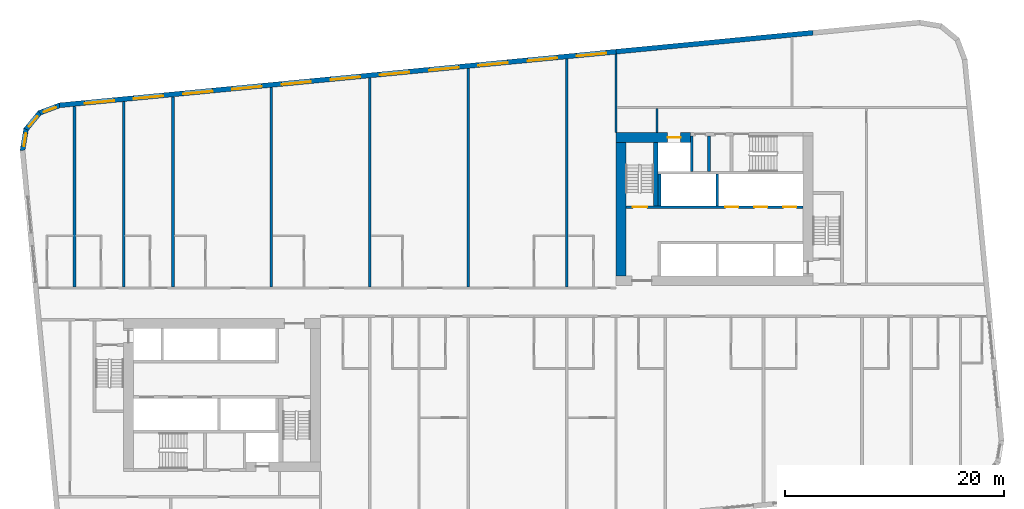
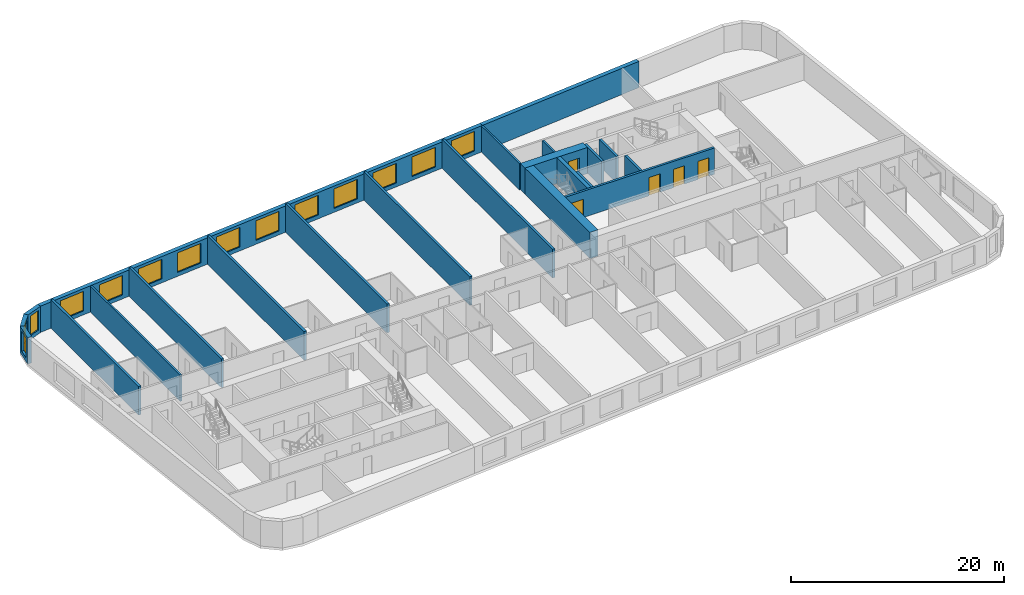
# One storey, part 6 of 12: 22 walls, 14 windows, 5 doors, 19 openings.
"""IFC4 building model written with IfcOpenShell, lengths in metres."""

from ifc_helpers import new_model, si_unit, direction, frame, frame_2d, origin, place, context, subcontext, project, spatial, polyline, rectangle, outline, extrude, material, layer, layer_set, type_object, element, fill, save


model = new_model("IFC4")

# Units and contexts
model_context = context("Model", 3, precision=1e-05, world=origin(), true_north=direction((0.0, 1.0)))
body_context = subcontext(model_context, "Body", "Model", "MODEL_VIEW")
ifc_project = project(units=[si_unit("LENGTHUNIT", "METRE"), si_unit("AREAUNIT", "SQUARE_METRE"), si_unit("VOLUMEUNIT", "CUBIC_METRE"), si_unit("PLANEANGLEUNIT", "RADIAN"), si_unit("MASSUNIT", "GRAM", prefix="KILO")], contexts=[model_context])

# Site, building, storey
site_placement = place(None, origin())
site = spatial("IfcSite", under=ifc_project, at=site_placement, CompositionType="ELEMENT")
building_placement = place(site_placement, origin())
building = spatial("IfcBuilding", under=site, at=building_placement, Name="Kajstack Hotel Tower", CompositionType="ELEMENT")
storey_placement = place(building_placement, frame((0.0, 0.0, 114.10009765625)))
storey = spatial("IfcBuildingStorey", under=building, at=storey_placement, Name="L24", CompositionType="ELEMENT", Elevation=114.10009765625)

# Wall, opening, door
ifc_material_1 = material(Name="Concrete C60/75", Category="concrete")
ifc_layer_1 = layer(ifc_material_1, 0.89990234375)
ifc_layer_set_1 = layer_set([ifc_layer_1], Name="Core wall 900")
wall_type_1 = type_object("IfcWallType", Name="Core wall 900", PredefinedType="SHEAR", material=ifc_layer_set_1)
wall_1_placement = place(storey_placement, frame((13.5, 15.050048828125, 0.0), z_axis=(0.0, 0.0, 1.0), x_axis=(1.0, 0.0, 0.0)))
wall_1 = element("IfcWall", 1, at=wall_1_placement, inside=storey, type_object=wall_type_1, Name="Core wall E RS", PredefinedType="SHEAR", context=body_context, shape_type="SweptSolid", body=[
    extrude(rectangle(XDim=6.800048828125, YDim=0.89990234375, at=frame_2d((3.39990234375, 0.0))), origin(), (0.0, 0.0, 1.0), 3.02001953125),
])
opening_1_placement = place(wall_1_placement, frame((4.72509765625, 0.0, 0.0)))
opening_1 = element("IfcOpeningElement", 2, at=opening_1_placement, cuts=wall_1, Name="Opening LD-SV2", PredefinedType="OPENING", context=body_context, shape_type="SweptSolid", body=[
    extrude(rectangle(XDim=1.199951171875, YDim=2.10009765625, at=frame_2d((0.60009765625, 1.050048828125))), frame((0.0, 0.4599609375, 0.0), z_axis=(0.0, -1.0, 0.0), x_axis=(1.0, 0.0, 0.0)), (0.0, 0.0, 1.0), 0.919921875),
])
ifc_material_2 = material(Name="Stainless steel", Category="steel")
door_type_1 = type_object("IfcDoorType", Name="Lift landing door 1200", OperationType="SLIDING_TO_LEFT", PredefinedType="DOOR", material=ifc_material_2)
door_1_placement = place(opening_1_placement, origin())
door_1 = element("IfcDoor", 3, at=door_1_placement, inside=storey, type_object=door_type_1, Name="Landing door SV2", OperationType="SLIDING_TO_LEFT", OverallHeight=2.10009765625, OverallWidth=1.199951171875, PredefinedType="DOOR", context=body_context, shape_type="SweptSolid", body=[
    extrude(rectangle(XDim=1.199951171875, YDim=2.10009765625, at=frame_2d((0.60009765625, 1.050048828125))), frame((0.0, 0.02490234375, 0.0), z_axis=(0.0, -1.0, 0.0), x_axis=(1.0, 0.0, 0.0)), (0.0, 0.0, 1.0), 0.050048828125),
])
fill(opening_1, door_1)

# Walls
wall_2_placement = place(storey_placement, frame((13.949951171875, 2.39990234375, 0.0), z_axis=(0.0, 0.0, 1.0), x_axis=(0.0, 1.0, 0.0)))
element("IfcWall", 4, at=wall_2_placement, inside=storey, type_object=wall_type_1, Name="Core wall E RE", PredefinedType="SHEAR", context=body_context, shape_type="SweptSolid", body=[
    extrude(rectangle(XDim=12.2001953125, YDim=0.89990234375, at=frame_2d((6.10009765625, 0.0))), origin(), (0.0, 0.0, 1.0), 3.02001953125),
])
ifc_material_3 = material(Name="Twin-frame gypsum board on steel studs, mineral wool", Category="steel")
ifc_layer_2 = layer(ifc_material_3, 0.199951171875)
ifc_layer_set_2 = layer_set([ifc_layer_2], Name="Demising wall 200")
wall_type_2 = type_object("IfcWallType", Name="Demising wall 200", PredefinedType="PARTITIONING", material=ifc_layer_set_2)
wall_3_placement = place(storey_placement, frame((13.5, 15.5, 0.0), z_axis=(0.0, 0.0, 1.0), x_axis=(0.0, 1.0, 0.0)))
element("IfcWall", 5, at=wall_3_placement, inside=storey, type_object=wall_type_2, Name="G-wall-L24-001", PredefinedType="PARTITIONING", context=body_context, shape_type="SweptSolid", body=[
    extrude(rectangle(XDim=7.162109375, YDim=0.199951171875, at=frame_2d((3.5810546875, 0.0))), origin(), (0.0, 0.0, 1.0), 3.02001953125),
])
wall_4_placement = place(storey_placement, frame((-31.5, 1.39990234375, 0.0), z_axis=(0.0, 0.0, 1.0), x_axis=(0.0, 1.0, 0.0)))
element("IfcWall", 6, at=wall_4_placement, inside=storey, type_object=wall_type_2, Name="G-wall-L24-006", PredefinedType="PARTITIONING", context=body_context, shape_type="SweptSolid", body=[
    extrude(rectangle(XDim=16.92919921875, YDim=0.199951171875, at=frame_2d((8.464599609375, 0.0))), origin(), (0.0, 0.0, 1.0), 3.02001953125),
])
ifc_material_4 = material(Name="Concrete C40/50", Category="concrete")
ifc_layer_3 = layer(ifc_material_4, 0.449951171875)
ifc_layer_set_3 = layer_set([ifc_layer_3], Name="EW-CORE")
wall_type_3 = type_object("IfcWallType", Name="EW-CORE", PredefinedType="SOLIDWALL", material=ifc_layer_set_3)
wall_5_placement = place(storey_placement, frame((31.521484375, 24.623291015625, 0.0), z_axis=(0.0, 0.0, 1.0), x_axis=(-0.995396454615, -0.095843091245, 0.0)))
element("IfcWall", 7, at=wall_5_placement, inside=storey, type_object=wall_type_3, Name="E-wall-L24-12-01", PredefinedType="SOLIDWALL", context=body_context, shape_type="SweptSolid", body=[
    extrude(rectangle(XDim=18.083251953125, YDim=0.449951171875, at=frame_2d((9.04150390625, 0.0))), origin(), (0.0, 0.0, 1.0), 3.02001953125),
])

# Wall, openings, windows
ifc_material_5 = material(Name="Terracotta-faced brick masonry", Category="masonry")
ifc_layer_4 = layer(ifc_material_5, 0.449951171875)
ifc_layer_set_4 = layer_set([ifc_layer_4], Name="EW-TERRA")
wall_type_4 = type_object("IfcWallType", Name="EW-TERRA", PredefinedType="SOLIDWALL", material=ifc_layer_set_4)
wall_6_placement = place(storey_placement, frame((13.521484375, 22.89013671875, 0.0), z_axis=(0.0, 0.0, 1.0), x_axis=(-0.995396445054, -0.095843190545, 0.0)))
wall_6 = element("IfcWall", 8, at=wall_6_placement, inside=storey, type_object=wall_type_4, Name="E-wall-L24-12-02", PredefinedType="SOLIDWALL", context=body_context, shape_type="SweptSolid", body=[
    extrude(rectangle(XDim=51.114013671875, YDim=0.449951171875, at=frame_2d((25.55712890625, 0.0))), origin(), (0.0, 0.0, 1.0), 3.02001953125),
])
opening_2_placement = place(wall_6_placement, frame((0.910400390625, 0.0, 0.449951171875)))
opening_2 = element("IfcOpeningElement", 9, at=opening_2_placement, cuts=wall_6, Name="Opening W1", PredefinedType="OPENING", context=body_context, shape_type="SweptSolid", body=[
    extrude(rectangle(XDim=2.699951171875, YDim=2.25, at=frame_2d((1.35009765625, 1.125))), frame((0.0, 0.23486328125, 0.0), z_axis=(0.0, -1.0, 0.0), x_axis=(1.0, 0.0, 0.0)), (0.0, 0.0, 1.0), 0.469970703125),
])
opening_3_placement = place(wall_6_placement, frame((5.43115234375, 0.0, 0.449951171875)))
opening_3 = element("IfcOpeningElement", 10, at=opening_3_placement, cuts=wall_6, Name="Opening W1", PredefinedType="OPENING", context=body_context, shape_type="SweptSolid", body=[
    extrude(rectangle(XDim=2.699951171875, YDim=2.25, at=frame_2d((1.35009765625, 1.125))), frame((0.0, 0.23486328125, 0.0), z_axis=(0.0, -1.0, 0.0), x_axis=(1.0, 0.0, 0.0)), (0.0, 0.0, 1.0), 0.469970703125),
])
opening_4_placement = place(wall_6_placement, frame((9.951904296875, 0.0, 0.449951171875)))
opening_4 = element("IfcOpeningElement", 11, at=opening_4_placement, cuts=wall_6, Name="Opening W1", PredefinedType="OPENING", context=body_context, shape_type="SweptSolid", body=[
    extrude(rectangle(XDim=2.699951171875, YDim=2.25, at=frame_2d((1.35009765625, 1.125))), frame((0.0, 0.23486328125, 0.0), z_axis=(0.0, -1.0, 0.0), x_axis=(1.0, 0.0, 0.0)), (0.0, 0.0, 1.0), 0.469970703125),
])
opening_5_placement = place(wall_6_placement, frame((14.472900390625, 0.0, 0.449951171875)))
opening_5 = element("IfcOpeningElement", 12, at=opening_5_placement, cuts=wall_6, Name="Opening W1", PredefinedType="OPENING", context=body_context, shape_type="SweptSolid", body=[
    extrude(rectangle(XDim=2.699951171875, YDim=2.25, at=frame_2d((1.35009765625, 1.125))), frame((0.0, 0.23486328125, 0.0), z_axis=(0.0, -1.0, 0.0), x_axis=(1.0, 0.0, 0.0)), (0.0, 0.0, 1.0), 0.469970703125),
])
opening_6_placement = place(wall_6_placement, frame((18.99365234375, 0.0, 0.449951171875)))
opening_6 = element("IfcOpeningElement", 13, at=opening_6_placement, cuts=wall_6, Name="Opening W1", PredefinedType="OPENING", context=body_context, shape_type="SweptSolid", body=[
    extrude(rectangle(XDim=2.699951171875, YDim=2.25, at=frame_2d((1.35009765625, 1.125))), frame((0.0, 0.23486328125, 0.0), z_axis=(0.0, -1.0, 0.0), x_axis=(1.0, 0.0, 0.0)), (0.0, 0.0, 1.0), 0.469970703125),
])
opening_7_placement = place(wall_6_placement, frame((23.514404296875, 0.0, 0.449951171875)))
opening_7 = element("IfcOpeningElement", 14, at=opening_7_placement, cuts=wall_6, Name="Opening W1", PredefinedType="OPENING", context=body_context, shape_type="SweptSolid", body=[
    extrude(rectangle(XDim=2.699951171875, YDim=2.25, at=frame_2d((1.35009765625, 1.125))), frame((0.0, 0.23486328125, 0.0), z_axis=(0.0, -1.0, 0.0), x_axis=(1.0, 0.0, 0.0)), (0.0, 0.0, 1.0), 0.469970703125),
])
opening_8_placement = place(wall_6_placement, frame((28.035400390625, 0.0, 0.449951171875)))
opening_8 = element("IfcOpeningElement", 15, at=opening_8_placement, cuts=wall_6, Name="Opening W1", PredefinedType="OPENING", context=body_context, shape_type="SweptSolid", body=[
    extrude(rectangle(XDim=2.699951171875, YDim=2.25, at=frame_2d((1.35009765625, 1.125))), frame((0.0, 0.23486328125, 0.0), z_axis=(0.0, -1.0, 0.0), x_axis=(1.0, 0.0, 0.0)), (0.0, 0.0, 1.0), 0.469970703125),
])
opening_9_placement = place(wall_6_placement, frame((32.55615234375, 0.0, 0.449951171875)))
opening_9 = element("IfcOpeningElement", 16, at=opening_9_placement, cuts=wall_6, Name="Opening W1", PredefinedType="OPENING", context=body_context, shape_type="SweptSolid", body=[
    extrude(rectangle(XDim=2.699951171875, YDim=2.25, at=frame_2d((1.35009765625, 1.125))), frame((0.0, 0.23486328125, 0.0), z_axis=(0.0, -1.0, 0.0), x_axis=(1.0, 0.0, 0.0)), (0.0, 0.0, 1.0), 0.469970703125),
])
opening_10_placement = place(wall_6_placement, frame((37.076904296875, 0.0, 0.449951171875)))
opening_10 = element("IfcOpeningElement", 17, at=opening_10_placement, cuts=wall_6, Name="Opening W1", PredefinedType="OPENING", context=body_context, shape_type="SweptSolid", body=[
    extrude(rectangle(XDim=2.699951171875, YDim=2.25, at=frame_2d((1.35009765625, 1.125))), frame((0.0, 0.23486328125, 0.0), z_axis=(0.0, -1.0, 0.0), x_axis=(1.0, 0.0, 0.0)), (0.0, 0.0, 1.0), 0.469970703125),
])
opening_11_placement = place(wall_6_placement, frame((41.59765625, 0.0, 0.449951171875)))
opening_11 = element("IfcOpeningElement", 18, at=opening_11_placement, cuts=wall_6, Name="Opening W1", PredefinedType="OPENING", context=body_context, shape_type="SweptSolid", body=[
    extrude(rectangle(XDim=2.699951171875, YDim=2.25, at=frame_2d((1.35009765625, 1.125))), frame((0.0, 0.23486328125, 0.0), z_axis=(0.0, -1.0, 0.0), x_axis=(1.0, 0.0, 0.0)), (0.0, 0.0, 1.0), 0.469970703125),
])
opening_12_placement = place(wall_6_placement, frame((46.118408203125, 0.0, 0.449951171875)))
opening_12 = element("IfcOpeningElement", 19, at=opening_12_placement, cuts=wall_6, Name="Opening W1", PredefinedType="OPENING", context=body_context, shape_type="SweptSolid", body=[
    extrude(rectangle(XDim=2.699951171875, YDim=2.25, at=frame_2d((1.35009765625, 1.125))), frame((0.0, 0.23486328125, 0.0), z_axis=(0.0, -1.0, 0.0), x_axis=(1.0, 0.0, 0.0)), (0.0, 0.0, 1.0), 0.469970703125),
])
ifc_material_6 = material(Name="Timber-aluminium window, triple glazed", Category="wood")
window_type_1 = type_object("IfcWindowType", Name="WG1", PartitioningType="SINGLE_PANEL", PredefinedType="WINDOW", material=ifc_material_6)
window_1_placement = place(opening_2_placement, origin())
window_1 = element("IfcWindow", 20, at=window_1_placement, inside=storey, type_object=window_type_1, Name="Window W1 L24-12", OverallHeight=2.25, OverallWidth=2.699951171875, PartitioningType="SINGLE_PANEL", PredefinedType="WINDOW", context=body_context, shape_type="SweptSolid", body=[
    extrude(rectangle(XDim=2.699951171875, YDim=2.25, at=frame_2d((1.35009765625, 1.125))), frame((0.0, 0.090087890625, 0.0), z_axis=(0.0, -1.0, 0.0), x_axis=(1.0, 0.0, 0.0)), (0.0, 0.0, 1.0), 0.06005859375),
])
fill(opening_2, window_1)
window_2_placement = place(opening_3_placement, origin())
window_2 = element("IfcWindow", 21, at=window_2_placement, inside=storey, type_object=window_type_1, Name="Window W1 L24-12", OverallHeight=2.25, OverallWidth=2.699951171875, PartitioningType="SINGLE_PANEL", PredefinedType="WINDOW", context=body_context, shape_type="SweptSolid", body=[
    extrude(rectangle(XDim=2.699951171875, YDim=2.25, at=frame_2d((1.35009765625, 1.125))), frame((0.0, 0.090087890625, 0.0), z_axis=(0.0, -1.0, 0.0), x_axis=(1.0, 0.0, 0.0)), (0.0, 0.0, 1.0), 0.06005859375),
])
fill(opening_3, window_2)
window_3_placement = place(opening_4_placement, origin())
window_3 = element("IfcWindow", 22, at=window_3_placement, inside=storey, type_object=window_type_1, Name="Window W1 L24-12", OverallHeight=2.25, OverallWidth=2.699951171875, PartitioningType="SINGLE_PANEL", PredefinedType="WINDOW", context=body_context, shape_type="SweptSolid", body=[
    extrude(rectangle(XDim=2.699951171875, YDim=2.25, at=frame_2d((1.35009765625, 1.125))), frame((0.0, 0.090087890625, 0.0), z_axis=(0.0, -1.0, 0.0), x_axis=(1.0, 0.0, 0.0)), (0.0, 0.0, 1.0), 0.06005859375),
])
fill(opening_4, window_3)
window_4_placement = place(opening_5_placement, origin())
window_4 = element("IfcWindow", 23, at=window_4_placement, inside=storey, type_object=window_type_1, Name="Window W1 L24-12", OverallHeight=2.25, OverallWidth=2.699951171875, PartitioningType="SINGLE_PANEL", PredefinedType="WINDOW", context=body_context, shape_type="SweptSolid", body=[
    extrude(rectangle(XDim=2.699951171875, YDim=2.25, at=frame_2d((1.35009765625, 1.125))), frame((0.0, 0.090087890625, 0.0), z_axis=(0.0, -1.0, 0.0), x_axis=(1.0, 0.0, 0.0)), (0.0, 0.0, 1.0), 0.06005859375),
])
fill(opening_5, window_4)
window_5_placement = place(opening_6_placement, origin())
window_5 = element("IfcWindow", 24, at=window_5_placement, inside=storey, type_object=window_type_1, Name="Window W1 L24-12", OverallHeight=2.25, OverallWidth=2.699951171875, PartitioningType="SINGLE_PANEL", PredefinedType="WINDOW", context=body_context, shape_type="SweptSolid", body=[
    extrude(rectangle(XDim=2.699951171875, YDim=2.25, at=frame_2d((1.35009765625, 1.125))), frame((0.0, 0.090087890625, 0.0), z_axis=(0.0, -1.0, 0.0), x_axis=(1.0, 0.0, 0.0)), (0.0, 0.0, 1.0), 0.06005859375),
])
fill(opening_6, window_5)
window_6_placement = place(opening_7_placement, origin())
window_6 = element("IfcWindow", 25, at=window_6_placement, inside=storey, type_object=window_type_1, Name="Window W1 L24-12", OverallHeight=2.25, OverallWidth=2.699951171875, PartitioningType="SINGLE_PANEL", PredefinedType="WINDOW", context=body_context, shape_type="SweptSolid", body=[
    extrude(rectangle(XDim=2.699951171875, YDim=2.25, at=frame_2d((1.35009765625, 1.125))), frame((0.0, 0.090087890625, 0.0), z_axis=(0.0, -1.0, 0.0), x_axis=(1.0, 0.0, 0.0)), (0.0, 0.0, 1.0), 0.06005859375),
])
fill(opening_7, window_6)
window_7_placement = place(opening_8_placement, origin())
window_7 = element("IfcWindow", 26, at=window_7_placement, inside=storey, type_object=window_type_1, Name="Window W1 L24-12", OverallHeight=2.25, OverallWidth=2.699951171875, PartitioningType="SINGLE_PANEL", PredefinedType="WINDOW", context=body_context, shape_type="SweptSolid", body=[
    extrude(rectangle(XDim=2.699951171875, YDim=2.25, at=frame_2d((1.35009765625, 1.125))), frame((0.0, 0.090087890625, 0.0), z_axis=(0.0, -1.0, 0.0), x_axis=(1.0, 0.0, 0.0)), (0.0, 0.0, 1.0), 0.06005859375),
])
fill(opening_8, window_7)
window_8_placement = place(opening_9_placement, origin())
window_8 = element("IfcWindow", 27, at=window_8_placement, inside=storey, type_object=window_type_1, Name="Window W1 L24-12", OverallHeight=2.25, OverallWidth=2.699951171875, PartitioningType="SINGLE_PANEL", PredefinedType="WINDOW", context=body_context, shape_type="SweptSolid", body=[
    extrude(rectangle(XDim=2.699951171875, YDim=2.25, at=frame_2d((1.35009765625, 1.125))), frame((0.0, 0.090087890625, 0.0), z_axis=(0.0, -1.0, 0.0), x_axis=(1.0, 0.0, 0.0)), (0.0, 0.0, 1.0), 0.06005859375),
])
fill(opening_9, window_8)
window_9_placement = place(opening_10_placement, origin())
window_9 = element("IfcWindow", 28, at=window_9_placement, inside=storey, type_object=window_type_1, Name="Window W1 L24-12", OverallHeight=2.25, OverallWidth=2.699951171875, PartitioningType="SINGLE_PANEL", PredefinedType="WINDOW", context=body_context, shape_type="SweptSolid", body=[
    extrude(rectangle(XDim=2.699951171875, YDim=2.25, at=frame_2d((1.35009765625, 1.125))), frame((0.0, 0.090087890625, 0.0), z_axis=(0.0, -1.0, 0.0), x_axis=(1.0, 0.0, 0.0)), (0.0, 0.0, 1.0), 0.06005859375),
])
fill(opening_10, window_9)
window_10_placement = place(opening_11_placement, origin())
window_10 = element("IfcWindow", 29, at=window_10_placement, inside=storey, type_object=window_type_1, Name="Window W1 L24-12", OverallHeight=2.25, OverallWidth=2.699951171875, PartitioningType="SINGLE_PANEL", PredefinedType="WINDOW", context=body_context, shape_type="SweptSolid", body=[
    extrude(rectangle(XDim=2.699951171875, YDim=2.25, at=frame_2d((1.35009765625, 1.125))), frame((0.0, 0.090087890625, 0.0), z_axis=(0.0, -1.0, 0.0), x_axis=(1.0, 0.0, 0.0)), (0.0, 0.0, 1.0), 0.06005859375),
])
fill(opening_11, window_10)
window_11_placement = place(opening_12_placement, origin())
window_11 = element("IfcWindow", 30, at=window_11_placement, inside=storey, type_object=window_type_1, Name="Window W1 L24-12", OverallHeight=2.25, OverallWidth=2.699951171875, PartitioningType="SINGLE_PANEL", PredefinedType="WINDOW", context=body_context, shape_type="SweptSolid", body=[
    extrude(rectangle(XDim=2.699951171875, YDim=2.25, at=frame_2d((1.35009765625, 1.125))), frame((0.0, 0.090087890625, 0.0), z_axis=(0.0, -1.0, 0.0), x_axis=(1.0, 0.0, 0.0)), (0.0, 0.0, 1.0), 0.06005859375),
])
fill(opening_12, window_11)

# Wall, opening, window
wall_7_placement = place(storey_placement, frame((-37.300048828125, 18.00439453125, 0.0), z_axis=(0.0, 0.0, 1.0), x_axis=(-0.936677599948, -0.350192909346, 0.0)))
wall_7 = element("IfcWall", 31, at=wall_7_placement, inside=storey, type_object=wall_type_4, Name="E-wall-L24-13-00", PredefinedType="SOLIDWALL", context=body_context, shape_type="SweptSolid", body=[
    extrude(outline(polyline([(0.0, -0.224853515625), (2.070556640625, -0.224853515625), (1.949951171875, 0.22509765625), (0.12060546875, 0.22509765625), (0.0, -0.224853515625)])), origin(), (0.0, 0.0, 1.0), 3.02001953125),
])
opening_13_placement = place(wall_7_placement, frame((0.435302734375, 0.0, 0.449951171875)))
opening_13 = element("IfcOpeningElement", 32, at=opening_13_placement, cuts=wall_7, Name="Opening W3", PredefinedType="OPENING", context=body_context, shape_type="SweptSolid", body=[
    extrude(rectangle(XDim=1.199951171875, YDim=2.25, at=frame_2d((0.60009765625, 1.125))), frame((0.0, 0.23486328125, 0.0), z_axis=(0.0, -1.0, 0.0), x_axis=(1.0, 0.0, 0.0)), (0.0, 0.0, 1.0), 0.469970703125),
])
window_type_2 = type_object("IfcWindowType", Name="WG3", PartitioningType="SINGLE_PANEL", PredefinedType="WINDOW", material=ifc_material_6)
window_12_placement = place(opening_13_placement, origin())
window_12 = element("IfcWindow", 33, at=window_12_placement, inside=storey, type_object=window_type_2, Name="Window W3 L24-13", OverallHeight=2.25, OverallWidth=1.199951171875, PartitioningType="SINGLE_PANEL", PredefinedType="WINDOW", context=body_context, shape_type="SweptSolid", body=[
    extrude(rectangle(XDim=1.199951171875, YDim=2.25, at=frame_2d((0.60009765625, 1.125))), frame((0.0, 0.090087890625, 0.0), z_axis=(0.0, -1.0, 0.0), x_axis=(1.0, 0.0, 0.0)), (0.0, 0.0, 1.0), 0.06005859375),
])
fill(opening_13, window_12)

wall_8_placement = place(storey_placement, frame((-39.144775390625, 17.346923828125, 0.0), z_axis=(0.0, 0.0, 1.0), x_axis=(-0.636046112757, -0.771651049663, 0.0)))
wall_8 = element("IfcWall", 34, at=wall_8_placement, inside=storey, type_object=wall_type_4, Name="E-wall-L24-14-00", PredefinedType="SOLIDWALL", context=body_context, shape_type="SweptSolid", body=[
    extrude(outline(polyline([(0.0, -0.224853515625), (2.070556640625, -0.224853515625), (1.949951171875, 0.22509765625), (0.12060546875, 0.22509765625), (0.0, -0.224853515625)])), origin(), (0.0, 0.0, 1.0), 3.02001953125),
])
opening_14_placement = place(wall_8_placement, frame((0.435302734375, 0.0, 0.449951171875)))
opening_14 = element("IfcOpeningElement", 35, at=opening_14_placement, cuts=wall_8, Name="Opening W3", PredefinedType="OPENING", context=body_context, shape_type="SweptSolid", body=[
    extrude(rectangle(XDim=1.199951171875, YDim=2.25, at=frame_2d((0.60009765625, 1.125))), frame((0.0, 0.23486328125, 0.0), z_axis=(0.0, -1.0, 0.0), x_axis=(1.0, 0.0, 0.0)), (0.0, 0.0, 1.0), 0.469970703125),
])
window_13_placement = place(opening_14_placement, origin())
window_13 = element("IfcWindow", 36, at=window_13_placement, inside=storey, type_object=window_type_2, Name="Window W3 L24-14", OverallHeight=2.25, OverallWidth=1.199951171875, PartitioningType="SINGLE_PANEL", PredefinedType="WINDOW", context=body_context, shape_type="SweptSolid", body=[
    extrude(rectangle(XDim=1.199951171875, YDim=2.25, at=frame_2d((0.60009765625, 1.125))), frame((0.0, 0.090087890625, 0.0), z_axis=(0.0, -1.0, 0.0), x_axis=(1.0, 0.0, 0.0)), (0.0, 0.0, 1.0), 0.06005859375),
])
fill(opening_14, window_13)

wall_9_placement = place(storey_placement, frame((-40.413330078125, 15.855224609375, 0.0), z_axis=(0.0, 0.0, 1.0), x_axis=(-0.165068144653, -0.986282164302, 0.0)))
wall_9 = element("IfcWall", 37, at=wall_9_placement, inside=storey, type_object=wall_type_4, Name="E-wall-L24-15-00", PredefinedType="SOLIDWALL", context=body_context, shape_type="SweptSolid", body=[
    extrude(outline(polyline([(0.0, -0.22509765625), (2.070556640625, -0.224853515625), (1.9501953125, 0.22509765625), (0.12060546875, 0.224853515625), (0.0, -0.22509765625)])), origin(), (0.0, 0.0, 1.0), 3.02001953125),
])
opening_15_placement = place(wall_9_placement, frame((0.435302734375, 0.0, 0.449951171875)))
opening_15 = element("IfcOpeningElement", 38, at=opening_15_placement, cuts=wall_9, Name="Opening W3", PredefinedType="OPENING", context=body_context, shape_type="SweptSolid", body=[
    extrude(rectangle(XDim=1.199951171875, YDim=2.25, at=frame_2d((0.60009765625, 1.125))), frame((0.0, 0.23486328125, 0.0), z_axis=(0.0, -1.0, 0.0), x_axis=(1.0, 0.0, 0.0)), (0.0, 0.0, 1.0), 0.469970703125),
])
window_14_placement = place(opening_15_placement, origin())
window_14 = element("IfcWindow", 39, at=window_14_placement, inside=storey, type_object=window_type_2, Name="Window W3 L24-15", OverallHeight=2.25, OverallWidth=1.199951171875, PartitioningType="SINGLE_PANEL", PredefinedType="WINDOW", context=body_context, shape_type="SweptSolid", body=[
    extrude(rectangle(XDim=1.199951171875, YDim=2.25, at=frame_2d((0.60009765625, 1.125))), frame((0.0, 0.090087890625, 0.0), z_axis=(0.0, -1.0, 0.0), x_axis=(1.0, 0.0, 0.0)), (0.0, 0.0, 1.0), 0.06005859375),
])
fill(opening_15, window_14)

# Walls
ifc_material_7 = material(Name="Concrete C50/60", Category="concrete")
ifc_layer_5 = layer(ifc_material_7, 0.300048828125)
ifc_layer_set_5 = layer_set([ifc_layer_5], Name="Hoistway divider wall 300")
wall_type_5 = type_object("IfcWallType", Name="Hoistway divider wall 300", PredefinedType="SHEAR", material=ifc_layer_set_5)
wall_10_placement = place(storey_placement, frame((22.77490234375, 8.800048828125, 0.0), z_axis=(0.0, 0.0, 1.0), x_axis=(0.0, 1.0, 0.0)))
element("IfcWall", 40, at=wall_10_placement, inside=storey, type_object=wall_type_5, Name="Core wall E BP2", PredefinedType="SHEAR", context=body_context, shape_type="SweptSolid", body=[
    extrude(rectangle(XDim=2.89990234375, YDim=0.25, at=frame_2d((1.449951171875, 0.0))), origin(), (0.0, 0.0, 1.0), 3.02001953125),
])
ifc_material_8 = material(Name="Concrete C55/67", Category="concrete")
ifc_layer_6 = layer(ifc_material_8, 0.25)
ifc_layer_set_6 = layer_set([ifc_layer_6], Name="RC cross wall 250 C55/67")
wall_type_6 = type_object("IfcWallType", Name="RC cross wall 250 C55/67", PredefinedType="SHEAR", material=ifc_layer_set_6)
wall_11_placement = place(storey_placement, frame((-36.0, 1.39990234375, 0.0), z_axis=(0.0, 0.0, 1.0), x_axis=(0.0, 1.0, 0.0)))
element("IfcWall", 41, at=wall_11_placement, inside=storey, type_object=wall_type_6, Name="S-wall-L24-01", PredefinedType="SHEAR", context=body_context, shape_type="SweptSolid", body=[
    extrude(rectangle(XDim=16.473876953125, YDim=0.25, at=frame_2d((8.23681640625, 0.0))), origin(), (0.0, 0.0, 1.0), 3.2998046875),
])
wall_12_placement = place(storey_placement, frame((-27.0, 1.39990234375, 0.0), z_axis=(0.0, 0.0, 1.0), x_axis=(0.0, 1.0, 0.0)))
element("IfcWall", 42, at=wall_12_placement, inside=storey, type_object=wall_type_6, Name="S-wall-L24-02", PredefinedType="SHEAR", context=body_context, shape_type="SweptSolid", body=[
    extrude(rectangle(XDim=17.34033203125, YDim=0.25, at=frame_2d((8.670166015625, 0.0))), origin(), (0.0, 0.0, 1.0), 3.2998046875),
])
wall_13_placement = place(storey_placement, frame((-18.0, 1.39990234375, 0.0), z_axis=(0.0, 0.0, 1.0), x_axis=(0.0, 1.0, 0.0)))
element("IfcWall", 43, at=wall_13_placement, inside=storey, type_object=wall_type_6, Name="S-wall-L24-03", PredefinedType="SHEAR", context=body_context, shape_type="SweptSolid", body=[
    extrude(rectangle(XDim=18.20703125, YDim=0.25, at=frame_2d((9.103515625, 0.0))), origin(), (0.0, 0.0, 1.0), 3.2998046875),
])
wall_14_placement = place(storey_placement, frame((-9.0, 1.39990234375, 0.0), z_axis=(0.0, 0.0, 1.0), x_axis=(0.0, 1.0, 0.0)))
element("IfcWall", 44, at=wall_14_placement, inside=storey, type_object=wall_type_6, Name="S-wall-L24-05", PredefinedType="SHEAR", context=body_context, shape_type="SweptSolid", body=[
    extrude(rectangle(XDim=19.073486328125, YDim=0.25, at=frame_2d((9.53662109375, 0.0))), origin(), (0.0, 0.0, 1.0), 3.2998046875),
])
wall_15_placement = place(storey_placement, frame((0.0, 1.39990234375, 0.0), z_axis=(0.0, 0.0, 1.0), x_axis=(0.0, 1.0, 0.0)))
element("IfcWall", 45, at=wall_15_placement, inside=storey, type_object=wall_type_6, Name="S-wall-L24-07", PredefinedType="SHEAR", context=body_context, shape_type="SweptSolid", body=[
    extrude(rectangle(XDim=19.940185546875, YDim=0.25, at=frame_2d((9.97021484375, 0.0))), origin(), (0.0, 0.0, 1.0), 3.2998046875),
])
wall_16_placement = place(storey_placement, frame((9.0, 1.39990234375, 0.0), z_axis=(0.0, 0.0, 1.0), x_axis=(0.0, 1.0, 0.0)))
element("IfcWall", 46, at=wall_16_placement, inside=storey, type_object=wall_type_6, Name="S-wall-L24-09", PredefinedType="SHEAR", context=body_context, shape_type="SweptSolid", body=[
    extrude(rectangle(XDim=20.806884765625, YDim=0.25, at=frame_2d((10.4033203125, 0.0))), origin(), (0.0, 0.0, 1.0), 3.2998046875),
])
ifc_material_9 = material(Name="Concrete block masonry", Category="masonry")
ifc_layer_7 = layer(ifc_material_9, 0.25)
ifc_layer_set_7 = layer_set([ifc_layer_7], Name="Riser partition 250")
wall_type_7 = type_object("IfcWallType", Name="Riser partition 250", PredefinedType="PARTITIONING", material=ifc_layer_set_7)
wall_17_placement = place(storey_placement, frame((22.0, 11.949951171875, 0.0), z_axis=(0.0, 0.0, 1.0), x_axis=(0.0, 1.0, 0.0)))
element("IfcWall", 47, at=wall_17_placement, inside=storey, type_object=wall_type_7, Name="Partition E SZ0", PredefinedType="PARTITIONING", context=body_context, shape_type="SweptSolid", body=[
    extrude(rectangle(XDim=3.25, YDim=0.25, at=frame_2d((1.625, 0.0))), origin(), (0.0, 0.0, 1.0), 3.02001953125),
])
ifc_material_10 = material(Name="Gypsum board on steel studs, mineral wool", Category="steel")
ifc_layer_8 = layer(ifc_material_10, 0.199951171875)
ifc_layer_set_8 = layer_set([ifc_layer_8], Name="Service partition 200")
wall_type_8 = type_object("IfcWallType", Name="Service partition 200", PredefinedType="PARTITIONING", material=ifc_layer_set_8)
wall_18_placement = place(storey_placement, frame((17.25, 15.5, 0.0), z_axis=(0.0, 0.0, 1.0), x_axis=(0.0, 1.0, 0.0)))
element("IfcWall", 48, at=wall_18_placement, inside=storey, type_object=wall_type_8, Name="Partition E SCE", PredefinedType="PARTITIONING", context=body_context, shape_type="SweptSolid", body=[
    extrude(rectangle(XDim=2.199951171875, YDim=0.199951171875, at=frame_2d((1.10009765625, 0.0))), origin(), (0.0, 0.0, 1.0), 3.02001953125),
])

# Wall, openings, doors
ifc_layer_9 = layer(ifc_material_7, 0.25)
ifc_layer_set_9 = layer_set([ifc_layer_9], Name="Shaft wall 250")
wall_type_9 = type_object("IfcWallType", Name="Shaft wall 250", PredefinedType="SHEAR", material=ifc_layer_set_9)
wall_19_placement = place(storey_placement, frame((14.39990234375, 8.675048828125, 0.0), z_axis=(0.0, 0.0, 1.0), x_axis=(1.0, 0.0, 0.0)))
wall_19 = element("IfcWall", 49, at=wall_19_placement, inside=storey, type_object=wall_type_9, Name="Core wall E FB", PredefinedType="SHEAR", context=body_context, shape_type="SweptSolid", body=[
    extrude(rectangle(XDim=16.2001953125, YDim=0.25, at=frame_2d((8.10009765625, 0.0))), origin(), (0.0, 0.0, 1.0), 3.02001953125),
])
opening_16_placement = place(wall_19_placement, frame((14.39990234375, 0.0, 0.0)))
opening_16 = element("IfcOpeningElement", 50, at=opening_16_placement, cuts=wall_19, Name="Opening LD-LR4", PredefinedType="OPENING", context=body_context, shape_type="SweptSolid", body=[
    extrude(rectangle(XDim=1.199951171875, YDim=2.10009765625, at=frame_2d((0.60009765625, 1.050048828125))), frame((0.0, 0.135009765625, 0.0), z_axis=(0.0, -1.0, 0.0), x_axis=(1.0, 0.0, 0.0)), (0.0, 0.0, 1.0), 0.27001953125),
])
opening_17_placement = place(wall_19_placement, frame((11.75, 0.0, 0.0)))
opening_17 = element("IfcOpeningElement", 51, at=opening_17_placement, cuts=wall_19, Name="Opening LD-LR5", PredefinedType="OPENING", context=body_context, shape_type="SweptSolid", body=[
    extrude(rectangle(XDim=1.199951171875, YDim=2.10009765625, at=frame_2d((0.60009765625, 1.050048828125))), frame((0.0, 0.135009765625, 0.0), z_axis=(0.0, -1.0, 0.0), x_axis=(1.0, 0.0, 0.0)), (0.0, 0.0, 1.0), 0.27001953125),
])
opening_18_placement = place(wall_19_placement, frame((9.10009765625, 0.0, 0.0)))
opening_18 = element("IfcOpeningElement", 52, at=opening_18_placement, cuts=wall_19, Name="Opening LD-LR6", PredefinedType="OPENING", context=body_context, shape_type="SweptSolid", body=[
    extrude(rectangle(XDim=1.199951171875, YDim=2.10009765625, at=frame_2d((0.60009765625, 1.050048828125))), frame((0.0, 0.135009765625, 0.0), z_axis=(0.0, -1.0, 0.0), x_axis=(1.0, 0.0, 0.0)), (0.0, 0.0, 1.0), 0.27001953125),
])
opening_19_placement = place(wall_19_placement, frame((0.64990234375, 0.0, 0.0)))
opening_19 = element("IfcOpeningElement", 53, at=opening_19_placement, cuts=wall_19, Name="Opening 24E10", PredefinedType="OPENING", context=body_context, shape_type="SweptSolid", body=[
    extrude(rectangle(XDim=1.300048828125, YDim=2.10009765625, at=frame_2d((0.64990234375, 1.050048828125))), frame((0.0, 0.135009765625, 0.0), z_axis=(0.0, -1.0, 0.0), x_axis=(1.0, 0.0, 0.0)), (0.0, 0.0, 1.0), 0.27001953125),
])
door_2_placement = place(opening_16_placement, origin())
door_2 = element("IfcDoor", 54, at=door_2_placement, inside=storey, type_object=door_type_1, Name="Landing door LR4", OperationType="SLIDING_TO_LEFT", OverallHeight=2.10009765625, OverallWidth=1.199951171875, PredefinedType="DOOR", context=body_context, shape_type="SweptSolid", body=[
    extrude(rectangle(XDim=1.199951171875, YDim=2.10009765625, at=frame_2d((0.60009765625, 1.050048828125))), frame((0.0, 0.02490234375, 0.0), z_axis=(0.0, -1.0, 0.0), x_axis=(1.0, 0.0, 0.0)), (0.0, 0.0, 1.0), 0.050048828125),
])
fill(opening_16, door_2)
door_3_placement = place(opening_17_placement, origin())
door_3 = element("IfcDoor", 55, at=door_3_placement, inside=storey, type_object=door_type_1, Name="Landing door LR5", OperationType="SLIDING_TO_RIGHT", OverallHeight=2.10009765625, OverallWidth=1.199951171875, PredefinedType="DOOR", context=body_context, shape_type="SweptSolid", body=[
    extrude(rectangle(XDim=1.199951171875, YDim=2.10009765625, at=frame_2d((0.60009765625, 1.050048828125))), frame((0.0, 0.02490234375, 0.0), z_axis=(0.0, -1.0, 0.0), x_axis=(1.0, 0.0, 0.0)), (0.0, 0.0, 1.0), 0.050048828125),
])
fill(opening_17, door_3)
door_4_placement = place(opening_18_placement, origin())
door_4 = element("IfcDoor", 56, at=door_4_placement, inside=storey, type_object=door_type_1, Name="Landing door LR6", OperationType="SLIDING_TO_RIGHT", OverallHeight=2.10009765625, OverallWidth=1.199951171875, PredefinedType="DOOR", context=body_context, shape_type="SweptSolid", body=[
    extrude(rectangle(XDim=1.199951171875, YDim=2.10009765625, at=frame_2d((0.60009765625, 1.050048828125))), frame((0.0, 0.02490234375, 0.0), z_axis=(0.0, -1.0, 0.0), x_axis=(1.0, 0.0, 0.0)), (0.0, 0.0, 1.0), 0.050048828125),
])
fill(opening_18, door_4)
ifc_material_11 = material(Name="Steel leaf, fire-rated", Category="steel")
door_type_2 = type_object("IfcDoorType", Name="Stair door 1300", OperationType="SINGLE_SWING_LEFT", PredefinedType="DOOR", material=ifc_material_11)
door_5_placement = place(opening_19_placement, origin())
door_5 = element("IfcDoor", 57, at=door_5_placement, inside=storey, type_object=door_type_2, Name="Door 24E10", OperationType="SINGLE_SWING_LEFT", OverallHeight=2.10009765625, OverallWidth=1.300048828125, PredefinedType="DOOR", context=body_context, shape_type="SweptSolid", body=[
    extrude(rectangle(XDim=1.300048828125, YDim=2.10009765625, at=frame_2d((0.64990234375, 1.050048828125))), frame((0.0, 0.02490234375, 0.0), z_axis=(0.0, -1.0, 0.0), x_axis=(1.0, 0.0, 0.0)), (0.0, 0.0, 1.0), 0.050048828125),
])
fill(opening_19, door_5)

# Walls
wall_20_placement = place(storey_placement, frame((17.47509765625, 8.800048828125, 0.0), z_axis=(0.0, 0.0, 1.0), x_axis=(0.0, 1.0, 0.0)))
element("IfcWall", 58, at=wall_20_placement, inside=storey, type_object=wall_type_9, Name="Core wall E BE", PredefinedType="SHEAR", context=body_context, shape_type="SweptSolid", body=[
    extrude(rectangle(XDim=2.89990234375, YDim=0.25, at=frame_2d((1.449951171875, 0.0))), origin(), (0.0, 0.0, 1.0), 3.02001953125),
])
wall_21_placement = place(storey_placement, frame((20.425048828125, 11.949951171875, 0.0), z_axis=(0.0, 0.0, 1.0), x_axis=(0.0, 1.0, 0.0)))
element("IfcWall", 59, at=wall_21_placement, inside=storey, type_object=wall_type_9, Name="Core wall E SVW", PredefinedType="SHEAR", context=body_context, shape_type="SweptSolid", body=[
    extrude(rectangle(XDim=3.25, YDim=0.25, at=frame_2d((1.625, 0.0))), origin(), (0.0, 0.0, 1.0), 3.02001953125),
])
ifc_layer_10 = layer(ifc_material_7, 0.39990234375)
ifc_layer_set_10 = layer_set([ifc_layer_10], Name="Stair wall 400")
wall_type_10 = type_object("IfcWallType", Name="Stair wall 400", PredefinedType="SHEAR", material=ifc_layer_set_10)
wall_22_placement = place(storey_placement, frame((17.14990234375, 8.800048828125, 0.0), z_axis=(0.0, 0.0, 1.0), x_axis=(0.0, 1.0, 0.0)))
element("IfcWall", 60, at=wall_22_placement, inside=storey, type_object=wall_type_10, Name="Core wall E WW2", PredefinedType="SHEAR", context=body_context, shape_type="SweptSolid", body=[
    extrude(rectangle(XDim=5.800048828125, YDim=0.39990234375, at=frame_2d((2.89990234375, 0.0))), origin(), (0.0, 0.0, 1.0), 3.02001953125),
])

save(model, "model.ifc")
